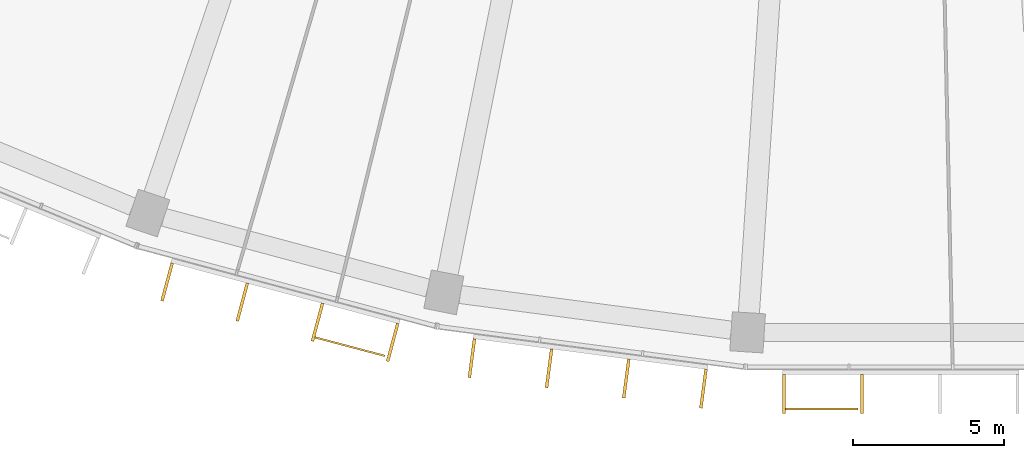
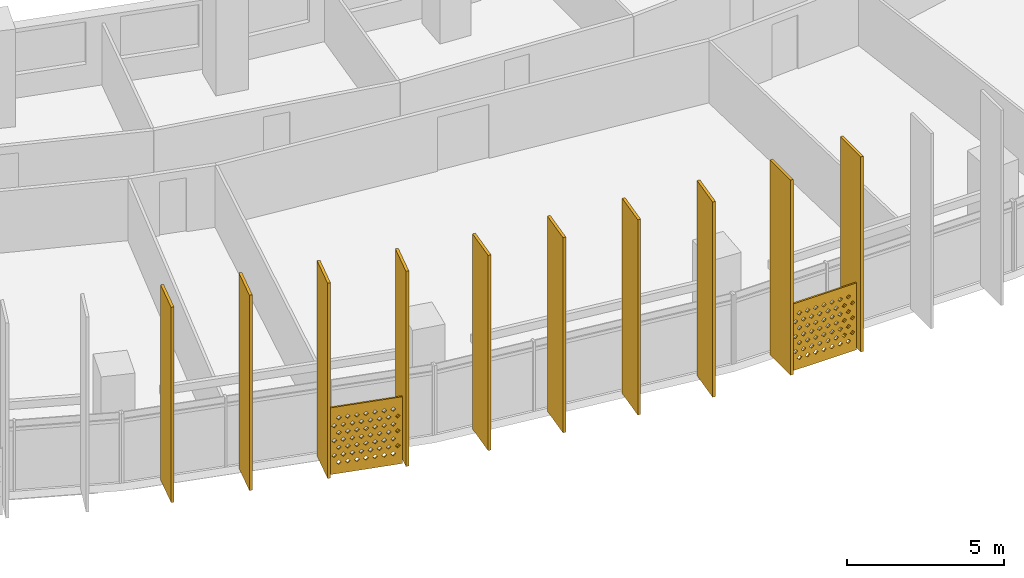
# One storey, part 23 of 26: 12 shading devices.
"""IFC4 building model written with IfcOpenShell, lengths in metres."""

from ifc_helpers import new_model, si_unit, direction, frame, origin, origin_2d, place, context, subcontext, project, spatial, polyline, rectangle, outline, extrude, material, material_profile, profile_set, type_object, element, save


model = new_model("IFC4")

# Units and contexts
model_context = context("Model", 3, precision=1e-05, world=origin(), true_north=direction((0.0, 1.0)))
body_context = subcontext(model_context, "Body", "Model", "MODEL_VIEW")
ifc_project = project(units=[si_unit("LENGTHUNIT", "METRE"), si_unit("AREAUNIT", "SQUARE_METRE"), si_unit("VOLUMEUNIT", "CUBIC_METRE"), si_unit("PLANEANGLEUNIT", "RADIAN"), si_unit("MASSUNIT", "GRAM", prefix="KILO")], contexts=[model_context])

# Site, building, storey
site_placement = place(None, origin())
site = spatial("IfcSite", under=ifc_project, at=site_placement, CompositionType="ELEMENT")
building_placement = place(site_placement, origin())
building = spatial("IfcBuilding", under=site, at=building_placement, Name="Qamariyya Broadcast Tower", CompositionType="ELEMENT")
storey_placement = place(building_placement, frame((0.0, 0.0, 156.89990234375)))
storey = spatial("IfcBuildingStorey", under=building, at=storey_placement, Name="L36", CompositionType="ELEMENT", Elevation=156.89990234375)

# Shading devices
ifc_material_1 = material(Name="Perforated glazed terracotta", Category="masonry")
ifc_material_profile_1 = material_profile(ifc_material_1, outline(polyline([(-1.199951171875, -1.300048828125), (1.199951171875, -1.300048828125), (1.199951171875, 1.300048828125), (-1.199951171875, 1.300048828125), (-1.199951171875, -1.300048828125)]), holes=[polyline([(-0.81494140625, -0.86669921875), (-0.89990234375, -0.78173828125), (-0.985107421875, -0.86669921875), (-0.89990234375, -0.95166015625), (-0.81494140625, -0.86669921875)]), polyline([(-0.514892578125, -0.86669921875), (-0.60009765625, -0.78173828125), (-0.68505859375, -0.86669921875), (-0.60009765625, -0.95166015625), (-0.514892578125, -0.86669921875)]), polyline([(-0.215087890625, -0.86669921875), (-0.300048828125, -0.78173828125), (-0.385009765625, -0.86669921875), (-0.300048828125, -0.95166015625), (-0.215087890625, -0.86669921875)]), polyline([(0.0849609375, -0.86669921875), (0.0, -0.78173828125), (-0.0849609375, -0.86669921875), (0.0, -0.95166015625), (0.0849609375, -0.86669921875)]), polyline([(0.385009765625, -0.86669921875), (0.300048828125, -0.78173828125), (0.215087890625, -0.86669921875), (0.300048828125, -0.95166015625), (0.385009765625, -0.86669921875)]), polyline([(0.68505859375, -0.86669921875), (0.60009765625, -0.78173828125), (0.514892578125, -0.86669921875), (0.60009765625, -0.95166015625), (0.68505859375, -0.86669921875)]), polyline([(0.985107421875, -0.86669921875), (0.89990234375, -0.78173828125), (0.81494140625, -0.86669921875), (0.89990234375, -0.95166015625), (0.985107421875, -0.86669921875)]), polyline([(-0.965087890625, -0.577880859375), (-1.050048828125, -0.49267578125), (-1.135009765625, -0.577880859375), (-1.050048828125, -0.662841796875), (-0.965087890625, -0.577880859375)]), polyline([(-0.6650390625, -0.577880859375), (-0.75, -0.49267578125), (-0.8349609375, -0.577880859375), (-0.75, -0.662841796875), (-0.6650390625, -0.577880859375)]), polyline([(-0.364990234375, -0.577880859375), (-0.449951171875, -0.49267578125), (-0.534912109375, -0.577880859375), (-0.449951171875, -0.662841796875), (-0.364990234375, -0.577880859375)]), polyline([(-0.06494140625, -0.577880859375), (-0.14990234375, -0.49267578125), (-0.235107421875, -0.577880859375), (-0.14990234375, -0.662841796875), (-0.06494140625, -0.577880859375)]), polyline([(0.235107421875, -0.577880859375), (0.14990234375, -0.49267578125), (0.06494140625, -0.577880859375), (0.14990234375, -0.662841796875), (0.235107421875, -0.577880859375)]), polyline([(0.534912109375, -0.577880859375), (0.449951171875, -0.49267578125), (0.364990234375, -0.577880859375), (0.449951171875, -0.662841796875), (0.534912109375, -0.577880859375)]), polyline([(0.8349609375, -0.577880859375), (0.75, -0.49267578125), (0.6650390625, -0.577880859375), (0.75, -0.662841796875), (0.8349609375, -0.577880859375)]), polyline([(1.135009765625, -0.577880859375), (1.050048828125, -0.49267578125), (0.965087890625, -0.577880859375), (1.050048828125, -0.662841796875), (1.135009765625, -0.577880859375)]), polyline([(-0.81494140625, -0.288818359375), (-0.89990234375, -0.203857421875), (-0.985107421875, -0.288818359375), (-0.89990234375, -0.373779296875), (-0.81494140625, -0.288818359375)]), polyline([(-0.514892578125, -0.288818359375), (-0.60009765625, -0.203857421875), (-0.68505859375, -0.288818359375), (-0.60009765625, -0.373779296875), (-0.514892578125, -0.288818359375)]), polyline([(-0.215087890625, -0.288818359375), (-0.300048828125, -0.203857421875), (-0.385009765625, -0.288818359375), (-0.300048828125, -0.373779296875), (-0.215087890625, -0.288818359375)]), polyline([(0.0849609375, -0.288818359375), (0.0, -0.203857421875), (-0.0849609375, -0.288818359375), (0.0, -0.373779296875), (0.0849609375, -0.288818359375)]), polyline([(0.385009765625, -0.288818359375), (0.300048828125, -0.203857421875), (0.215087890625, -0.288818359375), (0.300048828125, -0.373779296875), (0.385009765625, -0.288818359375)]), polyline([(0.68505859375, -0.288818359375), (0.60009765625, -0.203857421875), (0.514892578125, -0.288818359375), (0.60009765625, -0.373779296875), (0.68505859375, -0.288818359375)]), polyline([(0.985107421875, -0.288818359375), (0.89990234375, -0.203857421875), (0.81494140625, -0.288818359375), (0.89990234375, -0.373779296875), (0.985107421875, -0.288818359375)]), polyline([(-0.965087890625, 0.0), (-1.050048828125, 0.0849609375), (-1.135009765625, 0.0), (-1.050048828125, -0.0849609375), (-0.965087890625, 0.0)]), polyline([(-0.6650390625, 0.0), (-0.75, 0.0849609375), (-0.8349609375, 0.0), (-0.75, -0.0849609375), (-0.6650390625, 0.0)]), polyline([(-0.364990234375, 0.0), (-0.449951171875, 0.0849609375), (-0.534912109375, 0.0), (-0.449951171875, -0.0849609375), (-0.364990234375, 0.0)]), polyline([(-0.06494140625, 0.0), (-0.14990234375, 0.0849609375), (-0.235107421875, 0.0), (-0.14990234375, -0.0849609375), (-0.06494140625, 0.0)]), polyline([(0.235107421875, 0.0), (0.14990234375, 0.0849609375), (0.06494140625, 0.0), (0.14990234375, -0.0849609375), (0.235107421875, 0.0)]), polyline([(0.534912109375, 0.0), (0.449951171875, 0.0849609375), (0.364990234375, 0.0), (0.449951171875, -0.0849609375), (0.534912109375, 0.0)]), polyline([(0.8349609375, 0.0), (0.75, 0.0849609375), (0.6650390625, 0.0), (0.75, -0.0849609375), (0.8349609375, 0.0)]), polyline([(1.135009765625, 0.0), (1.050048828125, 0.0849609375), (0.965087890625, 0.0), (1.050048828125, -0.0849609375), (1.135009765625, 0.0)]), polyline([(-0.81494140625, 0.288818359375), (-0.89990234375, 0.373779296875), (-0.985107421875, 0.288818359375), (-0.89990234375, 0.203857421875), (-0.81494140625, 0.288818359375)]), polyline([(-0.514892578125, 0.288818359375), (-0.60009765625, 0.373779296875), (-0.68505859375, 0.288818359375), (-0.60009765625, 0.203857421875), (-0.514892578125, 0.288818359375)]), polyline([(-0.215087890625, 0.288818359375), (-0.300048828125, 0.373779296875), (-0.385009765625, 0.288818359375), (-0.300048828125, 0.203857421875), (-0.215087890625, 0.288818359375)]), polyline([(0.0849609375, 0.288818359375), (0.0, 0.373779296875), (-0.0849609375, 0.288818359375), (0.0, 0.203857421875), (0.0849609375, 0.288818359375)]), polyline([(0.385009765625, 0.288818359375), (0.300048828125, 0.373779296875), (0.215087890625, 0.288818359375), (0.300048828125, 0.203857421875), (0.385009765625, 0.288818359375)]), polyline([(0.68505859375, 0.288818359375), (0.60009765625, 0.373779296875), (0.514892578125, 0.288818359375), (0.60009765625, 0.203857421875), (0.68505859375, 0.288818359375)]), polyline([(0.985107421875, 0.288818359375), (0.89990234375, 0.373779296875), (0.81494140625, 0.288818359375), (0.89990234375, 0.203857421875), (0.985107421875, 0.288818359375)]), polyline([(-0.965087890625, 0.577880859375), (-1.050048828125, 0.662841796875), (-1.135009765625, 0.577880859375), (-1.050048828125, 0.49267578125), (-0.965087890625, 0.577880859375)]), polyline([(-0.6650390625, 0.577880859375), (-0.75, 0.662841796875), (-0.8349609375, 0.577880859375), (-0.75, 0.49267578125), (-0.6650390625, 0.577880859375)]), polyline([(-0.364990234375, 0.577880859375), (-0.449951171875, 0.662841796875), (-0.534912109375, 0.577880859375), (-0.449951171875, 0.49267578125), (-0.364990234375, 0.577880859375)]), polyline([(-0.06494140625, 0.577880859375), (-0.14990234375, 0.662841796875), (-0.235107421875, 0.577880859375), (-0.14990234375, 0.49267578125), (-0.06494140625, 0.577880859375)]), polyline([(0.235107421875, 0.577880859375), (0.14990234375, 0.662841796875), (0.06494140625, 0.577880859375), (0.14990234375, 0.49267578125), (0.235107421875, 0.577880859375)]), polyline([(0.534912109375, 0.577880859375), (0.449951171875, 0.662841796875), (0.364990234375, 0.577880859375), (0.449951171875, 0.49267578125), (0.534912109375, 0.577880859375)]), polyline([(0.8349609375, 0.577880859375), (0.75, 0.662841796875), (0.6650390625, 0.577880859375), (0.75, 0.49267578125), (0.8349609375, 0.577880859375)]), polyline([(1.135009765625, 0.577880859375), (1.050048828125, 0.662841796875), (0.965087890625, 0.577880859375), (1.050048828125, 0.49267578125), (1.135009765625, 0.577880859375)]), polyline([(-0.81494140625, 0.86669921875), (-0.89990234375, 0.95166015625), (-0.985107421875, 0.86669921875), (-0.89990234375, 0.78173828125), (-0.81494140625, 0.86669921875)]), polyline([(-0.514892578125, 0.86669921875), (-0.60009765625, 0.95166015625), (-0.68505859375, 0.86669921875), (-0.60009765625, 0.78173828125), (-0.514892578125, 0.86669921875)]), polyline([(-0.215087890625, 0.86669921875), (-0.300048828125, 0.95166015625), (-0.385009765625, 0.86669921875), (-0.300048828125, 0.78173828125), (-0.215087890625, 0.86669921875)]), polyline([(0.0849609375, 0.86669921875), (0.0, 0.95166015625), (-0.0849609375, 0.86669921875), (0.0, 0.78173828125), (0.0849609375, 0.86669921875)]), polyline([(0.385009765625, 0.86669921875), (0.300048828125, 0.95166015625), (0.215087890625, 0.86669921875), (0.300048828125, 0.78173828125), (0.385009765625, 0.86669921875)]), polyline([(0.68505859375, 0.86669921875), (0.60009765625, 0.95166015625), (0.514892578125, 0.86669921875), (0.60009765625, 0.78173828125), (0.68505859375, 0.86669921875)]), polyline([(0.985107421875, 0.86669921875), (0.89990234375, 0.95166015625), (0.81494140625, 0.86669921875), (0.89990234375, 0.78173828125), (0.985107421875, 0.86669921875)])]))
ifc_profile_set_1 = profile_set([ifc_material_profile_1], Name="Perforated glazed terracotta")
shading_device_type_1 = type_object("IfcShadingDeviceType", Name="Perforated terracotta screen 2400 x 2600", PredefinedType="USERDEFINED", material=ifc_profile_set_1)
shading_device_1_placement = place(storey_placement, frame((-18.276611328125, -78.029296875, 1.35009765625), z_axis=(-0.255892560316, -0.966705227862, 0.0), x_axis=(0.966705227862, -0.255892560316, 0.0)))
element("IfcShadingDevice", 1, at=shading_device_1_placement, inside=storey, type_object=shading_device_type_1, Name="e-scr-L36-05-2", ObjectType="SCREEN", PredefinedType="USERDEFINED", context=body_context, shape_type="SweptSolid", body=[
    extrude(outline(polyline([(-1.199951171875, -1.300048828125), (1.199951171875, -1.300048828125), (1.199951171875, 1.300048828125), (-1.199951171875, 1.300048828125), (-1.199951171875, -1.300048828125)]), holes=[polyline([(-0.81494140625, -0.86669921875), (-0.89990234375, -0.78173828125), (-0.985107421875, -0.86669921875), (-0.89990234375, -0.95166015625), (-0.81494140625, -0.86669921875)]), polyline([(-0.514892578125, -0.86669921875), (-0.60009765625, -0.78173828125), (-0.68505859375, -0.86669921875), (-0.60009765625, -0.95166015625), (-0.514892578125, -0.86669921875)]), polyline([(-0.215087890625, -0.86669921875), (-0.300048828125, -0.78173828125), (-0.385009765625, -0.86669921875), (-0.300048828125, -0.95166015625), (-0.215087890625, -0.86669921875)]), polyline([(0.0849609375, -0.86669921875), (0.0, -0.78173828125), (-0.0849609375, -0.86669921875), (0.0, -0.95166015625), (0.0849609375, -0.86669921875)]), polyline([(0.385009765625, -0.86669921875), (0.300048828125, -0.78173828125), (0.215087890625, -0.86669921875), (0.300048828125, -0.95166015625), (0.385009765625, -0.86669921875)]), polyline([(0.68505859375, -0.86669921875), (0.60009765625, -0.78173828125), (0.514892578125, -0.86669921875), (0.60009765625, -0.95166015625), (0.68505859375, -0.86669921875)]), polyline([(0.985107421875, -0.86669921875), (0.89990234375, -0.78173828125), (0.81494140625, -0.86669921875), (0.89990234375, -0.95166015625), (0.985107421875, -0.86669921875)]), polyline([(-0.965087890625, -0.577880859375), (-1.050048828125, -0.49267578125), (-1.135009765625, -0.577880859375), (-1.050048828125, -0.662841796875), (-0.965087890625, -0.577880859375)]), polyline([(-0.6650390625, -0.577880859375), (-0.75, -0.49267578125), (-0.8349609375, -0.577880859375), (-0.75, -0.662841796875), (-0.6650390625, -0.577880859375)]), polyline([(-0.364990234375, -0.577880859375), (-0.449951171875, -0.49267578125), (-0.534912109375, -0.577880859375), (-0.449951171875, -0.662841796875), (-0.364990234375, -0.577880859375)]), polyline([(-0.06494140625, -0.577880859375), (-0.14990234375, -0.49267578125), (-0.235107421875, -0.577880859375), (-0.14990234375, -0.662841796875), (-0.06494140625, -0.577880859375)]), polyline([(0.235107421875, -0.577880859375), (0.14990234375, -0.49267578125), (0.06494140625, -0.577880859375), (0.14990234375, -0.662841796875), (0.235107421875, -0.577880859375)]), polyline([(0.534912109375, -0.577880859375), (0.449951171875, -0.49267578125), (0.364990234375, -0.577880859375), (0.449951171875, -0.662841796875), (0.534912109375, -0.577880859375)]), polyline([(0.8349609375, -0.577880859375), (0.75, -0.49267578125), (0.6650390625, -0.577880859375), (0.75, -0.662841796875), (0.8349609375, -0.577880859375)]), polyline([(1.135009765625, -0.577880859375), (1.050048828125, -0.49267578125), (0.965087890625, -0.577880859375), (1.050048828125, -0.662841796875), (1.135009765625, -0.577880859375)]), polyline([(-0.81494140625, -0.288818359375), (-0.89990234375, -0.203857421875), (-0.985107421875, -0.288818359375), (-0.89990234375, -0.373779296875), (-0.81494140625, -0.288818359375)]), polyline([(-0.514892578125, -0.288818359375), (-0.60009765625, -0.203857421875), (-0.68505859375, -0.288818359375), (-0.60009765625, -0.373779296875), (-0.514892578125, -0.288818359375)]), polyline([(-0.215087890625, -0.288818359375), (-0.300048828125, -0.203857421875), (-0.385009765625, -0.288818359375), (-0.300048828125, -0.373779296875), (-0.215087890625, -0.288818359375)]), polyline([(0.0849609375, -0.288818359375), (0.0, -0.203857421875), (-0.0849609375, -0.288818359375), (0.0, -0.373779296875), (0.0849609375, -0.288818359375)]), polyline([(0.385009765625, -0.288818359375), (0.300048828125, -0.203857421875), (0.215087890625, -0.288818359375), (0.300048828125, -0.373779296875), (0.385009765625, -0.288818359375)]), polyline([(0.68505859375, -0.288818359375), (0.60009765625, -0.203857421875), (0.514892578125, -0.288818359375), (0.60009765625, -0.373779296875), (0.68505859375, -0.288818359375)]), polyline([(0.985107421875, -0.288818359375), (0.89990234375, -0.203857421875), (0.81494140625, -0.288818359375), (0.89990234375, -0.373779296875), (0.985107421875, -0.288818359375)]), polyline([(-0.965087890625, 0.0), (-1.050048828125, 0.0849609375), (-1.135009765625, 0.0), (-1.050048828125, -0.0849609375), (-0.965087890625, 0.0)]), polyline([(-0.6650390625, 0.0), (-0.75, 0.0849609375), (-0.8349609375, 0.0), (-0.75, -0.0849609375), (-0.6650390625, 0.0)]), polyline([(-0.364990234375, 0.0), (-0.449951171875, 0.0849609375), (-0.534912109375, 0.0), (-0.449951171875, -0.0849609375), (-0.364990234375, 0.0)]), polyline([(-0.06494140625, 0.0), (-0.14990234375, 0.0849609375), (-0.235107421875, 0.0), (-0.14990234375, -0.0849609375), (-0.06494140625, 0.0)]), polyline([(0.235107421875, 0.0), (0.14990234375, 0.0849609375), (0.06494140625, 0.0), (0.14990234375, -0.0849609375), (0.235107421875, 0.0)]), polyline([(0.534912109375, 0.0), (0.449951171875, 0.0849609375), (0.364990234375, 0.0), (0.449951171875, -0.0849609375), (0.534912109375, 0.0)]), polyline([(0.8349609375, 0.0), (0.75, 0.0849609375), (0.6650390625, 0.0), (0.75, -0.0849609375), (0.8349609375, 0.0)]), polyline([(1.135009765625, 0.0), (1.050048828125, 0.0849609375), (0.965087890625, 0.0), (1.050048828125, -0.0849609375), (1.135009765625, 0.0)]), polyline([(-0.81494140625, 0.288818359375), (-0.89990234375, 0.373779296875), (-0.985107421875, 0.288818359375), (-0.89990234375, 0.203857421875), (-0.81494140625, 0.288818359375)]), polyline([(-0.514892578125, 0.288818359375), (-0.60009765625, 0.373779296875), (-0.68505859375, 0.288818359375), (-0.60009765625, 0.203857421875), (-0.514892578125, 0.288818359375)]), polyline([(-0.215087890625, 0.288818359375), (-0.300048828125, 0.373779296875), (-0.385009765625, 0.288818359375), (-0.300048828125, 0.203857421875), (-0.215087890625, 0.288818359375)]), polyline([(0.0849609375, 0.288818359375), (0.0, 0.373779296875), (-0.0849609375, 0.288818359375), (0.0, 0.203857421875), (0.0849609375, 0.288818359375)]), polyline([(0.385009765625, 0.288818359375), (0.300048828125, 0.373779296875), (0.215087890625, 0.288818359375), (0.300048828125, 0.203857421875), (0.385009765625, 0.288818359375)]), polyline([(0.68505859375, 0.288818359375), (0.60009765625, 0.373779296875), (0.514892578125, 0.288818359375), (0.60009765625, 0.203857421875), (0.68505859375, 0.288818359375)]), polyline([(0.985107421875, 0.288818359375), (0.89990234375, 0.373779296875), (0.81494140625, 0.288818359375), (0.89990234375, 0.203857421875), (0.985107421875, 0.288818359375)]), polyline([(-0.965087890625, 0.577880859375), (-1.050048828125, 0.662841796875), (-1.135009765625, 0.577880859375), (-1.050048828125, 0.49267578125), (-0.965087890625, 0.577880859375)]), polyline([(-0.6650390625, 0.577880859375), (-0.75, 0.662841796875), (-0.8349609375, 0.577880859375), (-0.75, 0.49267578125), (-0.6650390625, 0.577880859375)]), polyline([(-0.364990234375, 0.577880859375), (-0.449951171875, 0.662841796875), (-0.534912109375, 0.577880859375), (-0.449951171875, 0.49267578125), (-0.364990234375, 0.577880859375)]), polyline([(-0.06494140625, 0.577880859375), (-0.14990234375, 0.662841796875), (-0.235107421875, 0.577880859375), (-0.14990234375, 0.49267578125), (-0.06494140625, 0.577880859375)]), polyline([(0.235107421875, 0.577880859375), (0.14990234375, 0.662841796875), (0.06494140625, 0.577880859375), (0.14990234375, 0.49267578125), (0.235107421875, 0.577880859375)]), polyline([(0.534912109375, 0.577880859375), (0.449951171875, 0.662841796875), (0.364990234375, 0.577880859375), (0.449951171875, 0.49267578125), (0.534912109375, 0.577880859375)]), polyline([(0.8349609375, 0.577880859375), (0.75, 0.662841796875), (0.6650390625, 0.577880859375), (0.75, 0.49267578125), (0.8349609375, 0.577880859375)]), polyline([(1.135009765625, 0.577880859375), (1.050048828125, 0.662841796875), (0.965087890625, 0.577880859375), (1.050048828125, 0.49267578125), (1.135009765625, 0.577880859375)]), polyline([(-0.81494140625, 0.86669921875), (-0.89990234375, 0.95166015625), (-0.985107421875, 0.86669921875), (-0.89990234375, 0.78173828125), (-0.81494140625, 0.86669921875)]), polyline([(-0.514892578125, 0.86669921875), (-0.60009765625, 0.95166015625), (-0.68505859375, 0.86669921875), (-0.60009765625, 0.78173828125), (-0.514892578125, 0.86669921875)]), polyline([(-0.215087890625, 0.86669921875), (-0.300048828125, 0.95166015625), (-0.385009765625, 0.86669921875), (-0.300048828125, 0.78173828125), (-0.215087890625, 0.86669921875)]), polyline([(0.0849609375, 0.86669921875), (0.0, 0.95166015625), (-0.0849609375, 0.86669921875), (0.0, 0.78173828125), (0.0849609375, 0.86669921875)]), polyline([(0.385009765625, 0.86669921875), (0.300048828125, 0.95166015625), (0.215087890625, 0.86669921875), (0.300048828125, 0.78173828125), (0.385009765625, 0.86669921875)]), polyline([(0.68505859375, 0.86669921875), (0.60009765625, 0.95166015625), (0.514892578125, 0.86669921875), (0.60009765625, 0.78173828125), (0.68505859375, 0.86669921875)]), polyline([(0.985107421875, 0.86669921875), (0.89990234375, 0.95166015625), (0.81494140625, 0.86669921875), (0.89990234375, 0.78173828125), (0.985107421875, 0.86669921875)])]), origin(), (0.0, 0.0, 1.0), 0.06005859375),
])
shading_device_2_placement = place(storey_placement, frame((-2.625244140625, -80.100830078125, 1.35009765625), z_axis=(0.0, -1.0, 0.0), x_axis=(1.0, 0.0, 0.0)))
element("IfcShadingDevice", 2, at=shading_device_2_placement, inside=storey, type_object=shading_device_type_1, Name="e-scr-L36-07-0", ObjectType="SCREEN", PredefinedType="USERDEFINED", context=body_context, shape_type="SweptSolid", body=[
    extrude(outline(polyline([(-1.199951171875, -1.300048828125), (1.199951171875, -1.300048828125), (1.199951171875, 1.300048828125), (-1.199951171875, 1.300048828125), (-1.199951171875, -1.300048828125)]), holes=[polyline([(-0.81494140625, -0.86669921875), (-0.89990234375, -0.78173828125), (-0.985107421875, -0.86669921875), (-0.89990234375, -0.95166015625), (-0.81494140625, -0.86669921875)]), polyline([(-0.514892578125, -0.86669921875), (-0.60009765625, -0.78173828125), (-0.68505859375, -0.86669921875), (-0.60009765625, -0.95166015625), (-0.514892578125, -0.86669921875)]), polyline([(-0.215087890625, -0.86669921875), (-0.300048828125, -0.78173828125), (-0.385009765625, -0.86669921875), (-0.300048828125, -0.95166015625), (-0.215087890625, -0.86669921875)]), polyline([(0.0849609375, -0.86669921875), (0.0, -0.78173828125), (-0.0849609375, -0.86669921875), (0.0, -0.95166015625), (0.0849609375, -0.86669921875)]), polyline([(0.385009765625, -0.86669921875), (0.300048828125, -0.78173828125), (0.215087890625, -0.86669921875), (0.300048828125, -0.95166015625), (0.385009765625, -0.86669921875)]), polyline([(0.68505859375, -0.86669921875), (0.60009765625, -0.78173828125), (0.514892578125, -0.86669921875), (0.60009765625, -0.95166015625), (0.68505859375, -0.86669921875)]), polyline([(0.985107421875, -0.86669921875), (0.89990234375, -0.78173828125), (0.81494140625, -0.86669921875), (0.89990234375, -0.95166015625), (0.985107421875, -0.86669921875)]), polyline([(-0.965087890625, -0.577880859375), (-1.050048828125, -0.49267578125), (-1.135009765625, -0.577880859375), (-1.050048828125, -0.662841796875), (-0.965087890625, -0.577880859375)]), polyline([(-0.6650390625, -0.577880859375), (-0.75, -0.49267578125), (-0.8349609375, -0.577880859375), (-0.75, -0.662841796875), (-0.6650390625, -0.577880859375)]), polyline([(-0.364990234375, -0.577880859375), (-0.449951171875, -0.49267578125), (-0.534912109375, -0.577880859375), (-0.449951171875, -0.662841796875), (-0.364990234375, -0.577880859375)]), polyline([(-0.06494140625, -0.577880859375), (-0.14990234375, -0.49267578125), (-0.235107421875, -0.577880859375), (-0.14990234375, -0.662841796875), (-0.06494140625, -0.577880859375)]), polyline([(0.235107421875, -0.577880859375), (0.14990234375, -0.49267578125), (0.06494140625, -0.577880859375), (0.14990234375, -0.662841796875), (0.235107421875, -0.577880859375)]), polyline([(0.534912109375, -0.577880859375), (0.449951171875, -0.49267578125), (0.364990234375, -0.577880859375), (0.449951171875, -0.662841796875), (0.534912109375, -0.577880859375)]), polyline([(0.8349609375, -0.577880859375), (0.75, -0.49267578125), (0.6650390625, -0.577880859375), (0.75, -0.662841796875), (0.8349609375, -0.577880859375)]), polyline([(1.135009765625, -0.577880859375), (1.050048828125, -0.49267578125), (0.965087890625, -0.577880859375), (1.050048828125, -0.662841796875), (1.135009765625, -0.577880859375)]), polyline([(-0.81494140625, -0.288818359375), (-0.89990234375, -0.203857421875), (-0.985107421875, -0.288818359375), (-0.89990234375, -0.373779296875), (-0.81494140625, -0.288818359375)]), polyline([(-0.514892578125, -0.288818359375), (-0.60009765625, -0.203857421875), (-0.68505859375, -0.288818359375), (-0.60009765625, -0.373779296875), (-0.514892578125, -0.288818359375)]), polyline([(-0.215087890625, -0.288818359375), (-0.300048828125, -0.203857421875), (-0.385009765625, -0.288818359375), (-0.300048828125, -0.373779296875), (-0.215087890625, -0.288818359375)]), polyline([(0.0849609375, -0.288818359375), (0.0, -0.203857421875), (-0.0849609375, -0.288818359375), (0.0, -0.373779296875), (0.0849609375, -0.288818359375)]), polyline([(0.385009765625, -0.288818359375), (0.300048828125, -0.203857421875), (0.215087890625, -0.288818359375), (0.300048828125, -0.373779296875), (0.385009765625, -0.288818359375)]), polyline([(0.68505859375, -0.288818359375), (0.60009765625, -0.203857421875), (0.514892578125, -0.288818359375), (0.60009765625, -0.373779296875), (0.68505859375, -0.288818359375)]), polyline([(0.985107421875, -0.288818359375), (0.89990234375, -0.203857421875), (0.81494140625, -0.288818359375), (0.89990234375, -0.373779296875), (0.985107421875, -0.288818359375)]), polyline([(-0.965087890625, 0.0), (-1.050048828125, 0.0849609375), (-1.135009765625, 0.0), (-1.050048828125, -0.0849609375), (-0.965087890625, 0.0)]), polyline([(-0.6650390625, 0.0), (-0.75, 0.0849609375), (-0.8349609375, 0.0), (-0.75, -0.0849609375), (-0.6650390625, 0.0)]), polyline([(-0.364990234375, 0.0), (-0.449951171875, 0.0849609375), (-0.534912109375, 0.0), (-0.449951171875, -0.0849609375), (-0.364990234375, 0.0)]), polyline([(-0.06494140625, 0.0), (-0.14990234375, 0.0849609375), (-0.235107421875, 0.0), (-0.14990234375, -0.0849609375), (-0.06494140625, 0.0)]), polyline([(0.235107421875, 0.0), (0.14990234375, 0.0849609375), (0.06494140625, 0.0), (0.14990234375, -0.0849609375), (0.235107421875, 0.0)]), polyline([(0.534912109375, 0.0), (0.449951171875, 0.0849609375), (0.364990234375, 0.0), (0.449951171875, -0.0849609375), (0.534912109375, 0.0)]), polyline([(0.8349609375, 0.0), (0.75, 0.0849609375), (0.6650390625, 0.0), (0.75, -0.0849609375), (0.8349609375, 0.0)]), polyline([(1.135009765625, 0.0), (1.050048828125, 0.0849609375), (0.965087890625, 0.0), (1.050048828125, -0.0849609375), (1.135009765625, 0.0)]), polyline([(-0.81494140625, 0.288818359375), (-0.89990234375, 0.373779296875), (-0.985107421875, 0.288818359375), (-0.89990234375, 0.203857421875), (-0.81494140625, 0.288818359375)]), polyline([(-0.514892578125, 0.288818359375), (-0.60009765625, 0.373779296875), (-0.68505859375, 0.288818359375), (-0.60009765625, 0.203857421875), (-0.514892578125, 0.288818359375)]), polyline([(-0.215087890625, 0.288818359375), (-0.300048828125, 0.373779296875), (-0.385009765625, 0.288818359375), (-0.300048828125, 0.203857421875), (-0.215087890625, 0.288818359375)]), polyline([(0.0849609375, 0.288818359375), (0.0, 0.373779296875), (-0.0849609375, 0.288818359375), (0.0, 0.203857421875), (0.0849609375, 0.288818359375)]), polyline([(0.385009765625, 0.288818359375), (0.300048828125, 0.373779296875), (0.215087890625, 0.288818359375), (0.300048828125, 0.203857421875), (0.385009765625, 0.288818359375)]), polyline([(0.68505859375, 0.288818359375), (0.60009765625, 0.373779296875), (0.514892578125, 0.288818359375), (0.60009765625, 0.203857421875), (0.68505859375, 0.288818359375)]), polyline([(0.985107421875, 0.288818359375), (0.89990234375, 0.373779296875), (0.81494140625, 0.288818359375), (0.89990234375, 0.203857421875), (0.985107421875, 0.288818359375)]), polyline([(-0.965087890625, 0.577880859375), (-1.050048828125, 0.662841796875), (-1.135009765625, 0.577880859375), (-1.050048828125, 0.49267578125), (-0.965087890625, 0.577880859375)]), polyline([(-0.6650390625, 0.577880859375), (-0.75, 0.662841796875), (-0.8349609375, 0.577880859375), (-0.75, 0.49267578125), (-0.6650390625, 0.577880859375)]), polyline([(-0.364990234375, 0.577880859375), (-0.449951171875, 0.662841796875), (-0.534912109375, 0.577880859375), (-0.449951171875, 0.49267578125), (-0.364990234375, 0.577880859375)]), polyline([(-0.06494140625, 0.577880859375), (-0.14990234375, 0.662841796875), (-0.235107421875, 0.577880859375), (-0.14990234375, 0.49267578125), (-0.06494140625, 0.577880859375)]), polyline([(0.235107421875, 0.577880859375), (0.14990234375, 0.662841796875), (0.06494140625, 0.577880859375), (0.14990234375, 0.49267578125), (0.235107421875, 0.577880859375)]), polyline([(0.534912109375, 0.577880859375), (0.449951171875, 0.662841796875), (0.364990234375, 0.577880859375), (0.449951171875, 0.49267578125), (0.534912109375, 0.577880859375)]), polyline([(0.8349609375, 0.577880859375), (0.75, 0.662841796875), (0.6650390625, 0.577880859375), (0.75, 0.49267578125), (0.8349609375, 0.577880859375)]), polyline([(1.135009765625, 0.577880859375), (1.050048828125, 0.662841796875), (0.965087890625, 0.577880859375), (1.050048828125, 0.49267578125), (1.135009765625, 0.577880859375)]), polyline([(-0.81494140625, 0.86669921875), (-0.89990234375, 0.95166015625), (-0.985107421875, 0.86669921875), (-0.89990234375, 0.78173828125), (-0.81494140625, 0.86669921875)]), polyline([(-0.514892578125, 0.86669921875), (-0.60009765625, 0.95166015625), (-0.68505859375, 0.86669921875), (-0.60009765625, 0.78173828125), (-0.514892578125, 0.86669921875)]), polyline([(-0.215087890625, 0.86669921875), (-0.300048828125, 0.95166015625), (-0.385009765625, 0.86669921875), (-0.300048828125, 0.78173828125), (-0.215087890625, 0.86669921875)]), polyline([(0.0849609375, 0.86669921875), (0.0, 0.95166015625), (-0.0849609375, 0.86669921875), (0.0, 0.78173828125), (0.0849609375, 0.86669921875)]), polyline([(0.385009765625, 0.86669921875), (0.300048828125, 0.95166015625), (0.215087890625, 0.86669921875), (0.300048828125, 0.78173828125), (0.385009765625, 0.86669921875)]), polyline([(0.68505859375, 0.86669921875), (0.60009765625, 0.95166015625), (0.514892578125, 0.86669921875), (0.60009765625, 0.78173828125), (0.68505859375, 0.86669921875)]), polyline([(0.985107421875, 0.86669921875), (0.89990234375, 0.95166015625), (0.81494140625, 0.86669921875), (0.89990234375, 0.78173828125), (0.985107421875, 0.86669921875)])]), origin(), (0.0, 0.0, 1.0), 0.06005859375),
])
ifc_material_2 = material(Name="Glazed terracotta", Category="masonry")
ifc_material_profile_2 = material_profile(ifc_material_2, rectangle(XDim=1.300048828125, YDim=0.10009765625, at=origin_2d()))
ifc_profile_set_2 = profile_set([ifc_material_profile_2], Name="Glazed terracotta")
shading_device_type_2 = type_object("IfcShadingDeviceType", Name="Terracotta fin 100 x 1300", PredefinedType="USERDEFINED", material=ifc_profile_set_2)
for number, where, z_axis, x_axis, name in (
    (3, (-24.35302734375, -75.91455078125, 0.0), (0.0, 0.0, 1.0), (-0.258819045103, -0.965925826289, 0.0), "e-fin-L36-05-0"),
    (4, (-21.857666015625, -76.583251953125, 0.0), (0.0, 0.0, 1.0), (-0.258819045103, -0.965925826289, 0.0), "e-fin-L36-05-1"),
    (5, (-19.3623046875, -77.251708984375, 0.0), (0.0, 0.0, 1.0), (-0.258819045103, -0.965925826289, 0.0), "e-fin-L36-05-2"),
    (6, (-16.866943359375, -77.92041015625, 0.0), (0.0, 0.0, 1.0), (-0.258819045103, -0.965925826289, 0.0), "e-fin-L36-05-3"),
    (7, (-14.23583984375, -78.44384765625, 0.0), (0.0, 0.0, 1.0), (-0.13052619222, -0.991444861374, 0.0), "e-fin-L36-06-0"),
    (8, (-11.674560546875, -78.781005859375, 0.0), (0.0, 0.0, 1.0), (-0.13052619222, -0.991444861374, 0.0), "e-fin-L36-06-1"),
    (9, (-9.11328125, -79.1181640625, 0.0), (0.0, 0.0, 1.0), (-0.13052619222, -0.991444861374, 0.0), "e-fin-L36-06-2"),
    (10, (-6.552001953125, -79.455322265625, 0.0), (0.0, 0.0, 1.0), (-0.13052619222, -0.991444861374, 0.0), "e-fin-L36-06-3"),
    (11, (-3.875244140625, -79.630859375, 0.0), (0.0, 0.0, 1.0), (0.0, -1.0, 0.0), "e-fin-L36-07-0"),
    (12, (-1.291748046875, -79.630859375, 0.0), (0.0, 0.0, 1.0), (0.0, -1.0, 0.0), "e-fin-L36-07-1"),
):
    element("IfcShadingDevice", number, at=place(storey_placement, frame(where, z_axis=z_axis, x_axis=x_axis)), inside=storey, type_object=shading_device_type_2, Name=name, ObjectType="FIN", PredefinedType="USERDEFINED", context=body_context, shape_type="SweptSolid", body=[
        extrude(rectangle(XDim=1.300048828125, YDim=0.10009765625, at=origin_2d()), origin(), (0.0, 0.0, 1.0), 7.60009765625),
    ])

save(model, "model.ifc")
